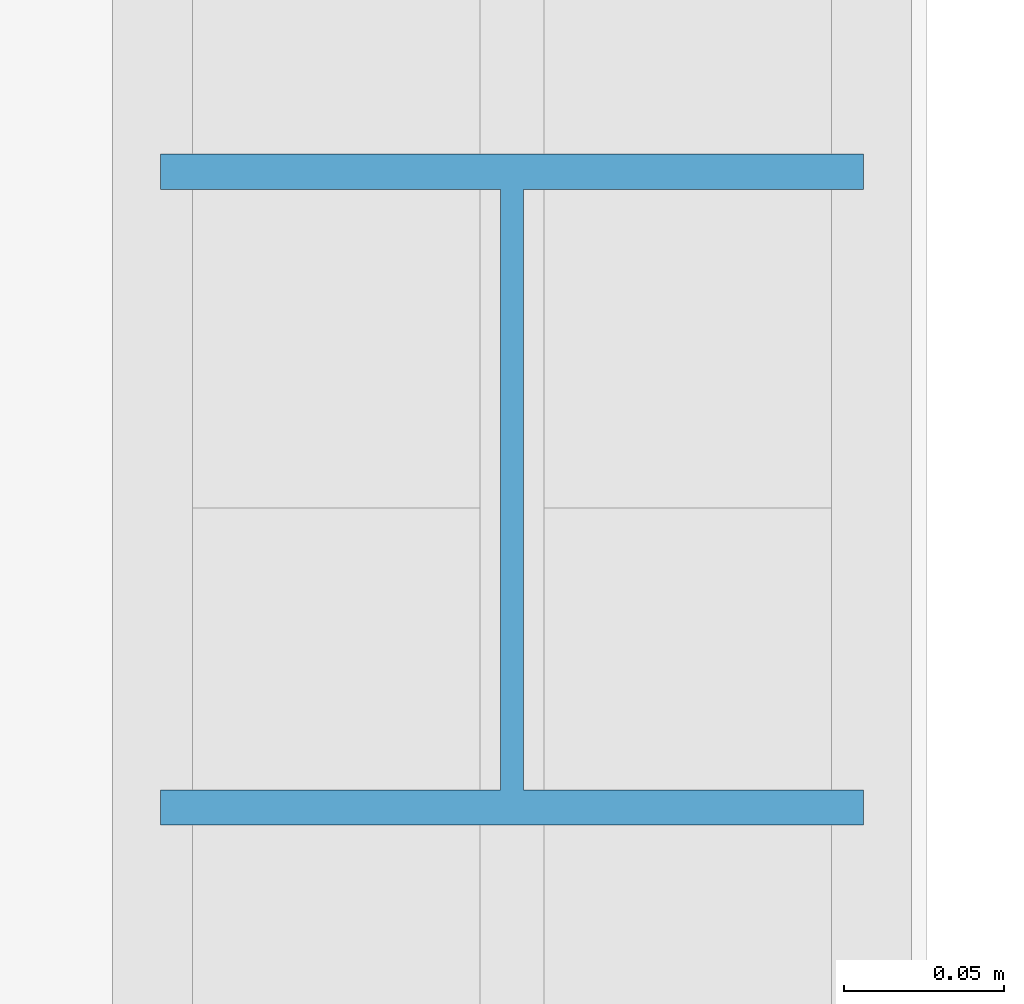
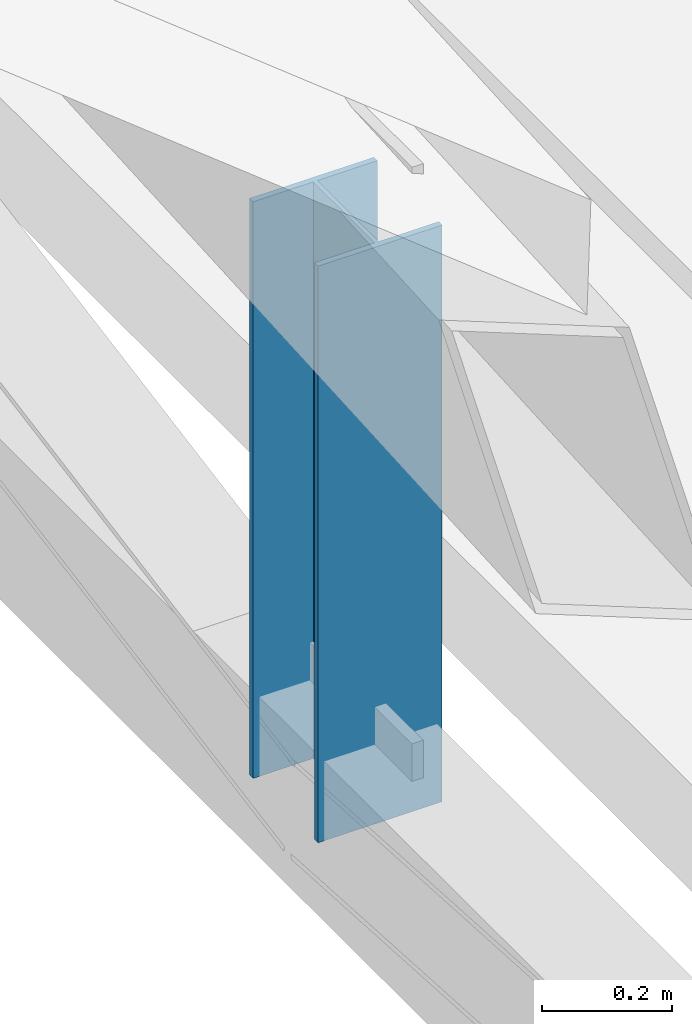
# One storey, part 59 of 142: 1 member.
"""IFC4 building model written with IfcOpenShell, lengths in metres."""

from ifc_helpers import new_model, si_unit, direction, frame, origin, origin_2d, place, context, subcontext, project, spatial, i_section, extrude, material, material_profile, profile_set, type_object, element, save


model = new_model("IFC4")

# Units and contexts
model_context = context("Model", 3, precision=1e-05, world=origin(), true_north=direction((0.0, 1.0)))
body_context = subcontext(model_context, "Body", "Model", "MODEL_VIEW")
ifc_project = project(units=[si_unit("LENGTHUNIT", "METRE"), si_unit("AREAUNIT", "SQUARE_METRE"), si_unit("VOLUMEUNIT", "CUBIC_METRE"), si_unit("PLANEANGLEUNIT", "RADIAN"), si_unit("MASSUNIT", "GRAM", prefix="KILO")], contexts=[model_context])

# Site, building, storey
site_placement = place(None, origin())
site = spatial("IfcSite", under=ifc_project, at=site_placement, CompositionType="ELEMENT")
building_placement = place(site_placement, origin())
building = spatial("IfcBuilding", under=site, at=building_placement, Name="Montelvaro Courts of Justice", CompositionType="ELEMENT")
storey_placement = place(building_placement, frame((0.0, 0.0, 14.39990234375)))
storey = spatial("IfcBuildingStorey", under=building, at=storey_placement, Name="L03", CompositionType="ELEMENT", Elevation=14.39990234375)

# Member
ifc_material = material(Name="Steel S355", Category="steel")
ifc_material_profile = material_profile(ifc_material, i_section(OverallWidth=0.219970703125, OverallDepth=0.2099609375, WebThickness=0.007080078125, FlangeThickness=0.010986328125, at=origin_2d()), Name="HEA 220")
ifc_profile_set = profile_set([ifc_material_profile], Name="Steel S355")
member_type = type_object("IfcMemberType", Name="Mem_HEA220_Post", PredefinedType="POST", material=ifc_profile_set)
member_placement = place(storey_placement, frame((98.800048828125, 60.0, -0.2998046875), z_axis=(0.0, 0.0, 1.0), x_axis=(1.0, 0.0, 0.0)))
element("IfcMember", 1, at=member_placement, inside=storey, type_object=member_type, Name="Roof Truss Post MP-03 ROOF-PASSAGE-VTR06-V2", PredefinedType="POST", context=body_context, shape_type="SweptSolid", body=[
    extrude(i_section(OverallWidth=0.219970703125, OverallDepth=0.2099609375, WebThickness=0.007080078125, FlangeThickness=0.010986328125, at=origin_2d()), origin(), (0.0, 0.0, 1.0), 1.079833984375),
])

save(model, "model.ifc")
